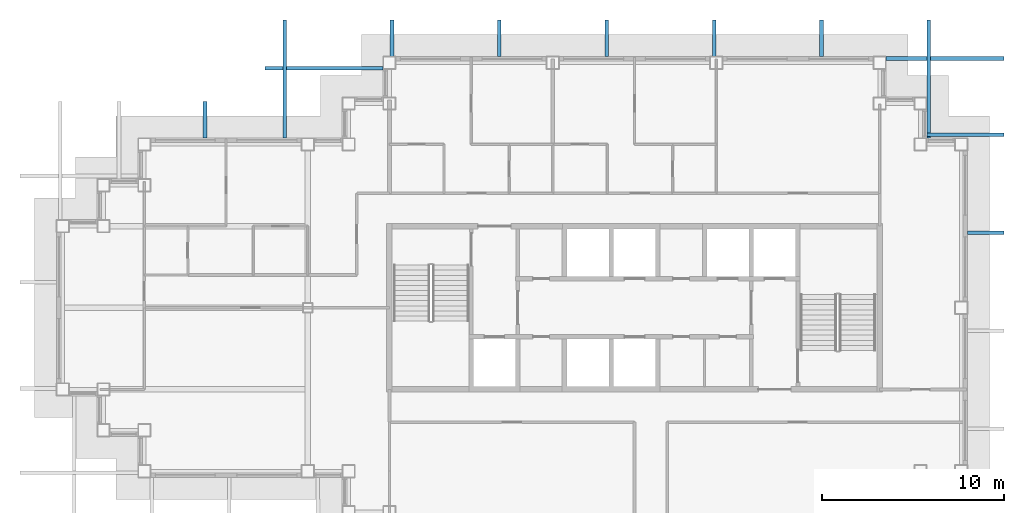
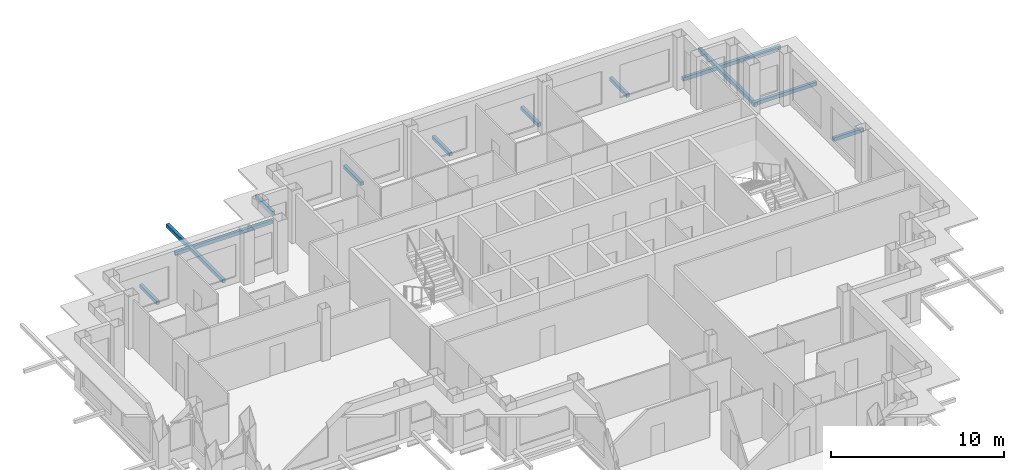
# One storey, part 8 of 12: 12 discrete accessories.
"""IFC4 building model written with IfcOpenShell, lengths in metres."""

from ifc_helpers import new_model, si_unit, direction, frame, origin, origin_2d, place, context, subcontext, project, spatial, rectangle, extrude, material, type_object, element, save


model = new_model("IFC4")

# Units and contexts
model_context = context("Model", 3, precision=1e-05, world=origin(), true_north=direction((0.0, 1.0)))
body_context = subcontext(model_context, "Body", "Model", "MODEL_VIEW")
ifc_project = project(units=[si_unit("LENGTHUNIT", "METRE"), si_unit("AREAUNIT", "SQUARE_METRE"), si_unit("VOLUMEUNIT", "CUBIC_METRE"), si_unit("PLANEANGLEUNIT", "RADIAN"), si_unit("MASSUNIT", "GRAM", prefix="KILO")], contexts=[model_context])

# Site, building, storey
site_placement = place(None, origin())
site = spatial("IfcSite", under=ifc_project, at=site_placement, CompositionType="ELEMENT")
building_placement = place(site_placement, origin())
building = spatial("IfcBuilding", under=site, at=building_placement, Name="Caravel Reach Hotel and Residences", CompositionType="ELEMENT")
storey_placement = place(building_placement, frame((0.0, 0.0, 203.5)))
storey = spatial("IfcBuildingStorey", under=building, at=storey_placement, Name="L51", CompositionType="ELEMENT", Elevation=203.5)

# Discrete accessories
ifc_material = material(Name="Black powder-coated aluminium", Category="aluminium")
discrete_accessory_type = type_object("IfcDiscreteAccessoryType", Name="BR1 Screen bracket", PredefinedType="BRACKET", material=ifc_material)
discrete_accessory_1_placement = place(storey_placement, frame((50.85009765625, 31.1298828125, 0.10009765625), z_axis=(0.0, 0.0, 1.0), x_axis=(1.0, 0.0, 0.0)))
element("IfcDiscreteAccessory", 1, at=discrete_accessory_1_placement, inside=storey, type_object=discrete_accessory_type, Name="Screen bracket L51 3.4.2", PredefinedType="BRACKET", context=body_context, shape_type="SweptSolid", body=[
    extrude(rectangle(XDim=2.0, YDim=0.199951171875, at=origin_2d()), origin(), (0.0, 0.0, 1.0), 0.25),
])
discrete_accessory_2_placement = place(storey_placement, frame((49.72509765625, 36.530029296875, 0.10009765625), z_axis=(0.0, 0.0, 1.0), x_axis=(1.0, 0.0, 0.0)))
element("IfcDiscreteAccessory", 2, at=discrete_accessory_2_placement, inside=storey, type_object=discrete_accessory_type, Name="Screen bracket L51 3.5.2", PredefinedType="BRACKET", context=body_context, shape_type="SweptSolid", body=[
    extrude(rectangle(XDim=4.25, YDim=0.199951171875, at=origin_2d()), origin(), (0.0, 0.0, 1.0), 0.25),
])
for number, where, z_axis, x_axis, name in (
    (3, (48.60009765625, 40.72998046875, 0.10009765625), (0.0, 0.0, 1.0), (1.0, 0.0, 0.0), "Screen bracket L51 3.6.2"),
    (4, (47.7099609375, 39.60009765625, 0.10009765625), (0.0, 0.0, 1.0), (0.0, 1.0, 0.0), "Screen bracket L51 4.1.2"),
):
    element("IfcDiscreteAccessory", number, at=place(storey_placement, frame(where, z_axis=z_axis, x_axis=x_axis)), inside=storey, type_object=discrete_accessory_type, Name=name, PredefinedType="BRACKET", context=body_context, shape_type="SweptSolid", body=[
        extrude(rectangle(XDim=6.5, YDim=0.199951171875, at=origin_2d()), origin(), (0.0, 0.0, 1.0), 0.25),
    ])
for number, where, z_axis, x_axis, name in (
    (5, (41.795654296875, 41.85009765625, 0.10009765625), (0.0, 0.0, 1.0), (0.0, 1.0, 0.0), "Screen bracket L51 4.2.2"),
    (6, (35.88134765625, 41.85009765625, 0.10009765625), (0.0, 0.0, 1.0), (0.0, 1.0, 0.0), "Screen bracket L51 4.3.2"),
    (7, (29.967041015625, 41.85009765625, 0.10009765625), (0.0, 0.0, 1.0), (0.0, 1.0, 0.0), "Screen bracket L51 4.4.2"),
    (8, (24.052978515625, 41.85009765625, 0.10009765625), (0.0, 0.0, 1.0), (0.0, 1.0, 0.0), "Screen bracket L51 4.5.2"),
    (9, (18.138671875, 41.85009765625, 0.10009765625), (0.0, 0.0, 1.0), (0.0, 1.0, 0.0), "Screen bracket L51 4.6.2"),
):
    element("IfcDiscreteAccessory", number, at=place(storey_placement, frame(where, z_axis=z_axis, x_axis=x_axis)), inside=storey, type_object=discrete_accessory_type, Name=name, PredefinedType="BRACKET", context=body_context, shape_type="SweptSolid", body=[
        extrude(rectangle(XDim=2.0, YDim=0.199951171875, at=origin_2d()), origin(), (0.0, 0.0, 1.0), 0.25),
    ])
for number, where, z_axis, x_axis, name in (
    (10, (12.224365234375, 39.60009765625, 0.10009765625), (0.0, 0.0, 1.0), (0.0, 1.0, 0.0), "Screen bracket L51 4.7.2"),
    (11, (14.39990234375, 40.18994140625, 0.10009765625), (0.0, 0.0, 1.0), (-1.0, 0.0, 0.0), "Screen bracket L51 5.1.2"),
):
    element("IfcDiscreteAccessory", number, at=place(storey_placement, frame(where, z_axis=z_axis, x_axis=x_axis)), inside=storey, type_object=discrete_accessory_type, Name=name, PredefinedType="BRACKET", context=body_context, shape_type="SweptSolid", body=[
        extrude(rectangle(XDim=6.5, YDim=0.199951171875, at=origin_2d()), origin(), (0.0, 0.0, 1.0), 0.25),
    ])
discrete_accessory_3_placement = place(storey_placement, frame((7.836669921875, 37.35009765625, 0.10009765625), z_axis=(0.0, 0.0, 1.0), x_axis=(0.0, 1.0, 0.0)))
element("IfcDiscreteAccessory", 12, at=discrete_accessory_3_placement, inside=storey, type_object=discrete_accessory_type, Name="Screen bracket L51 6.1.2", PredefinedType="BRACKET", context=body_context, shape_type="SweptSolid", body=[
    extrude(rectangle(XDim=2.0, YDim=0.199951171875, at=origin_2d()), origin(), (0.0, 0.0, 1.0), 0.25),
])

save(model, "model.ifc")
